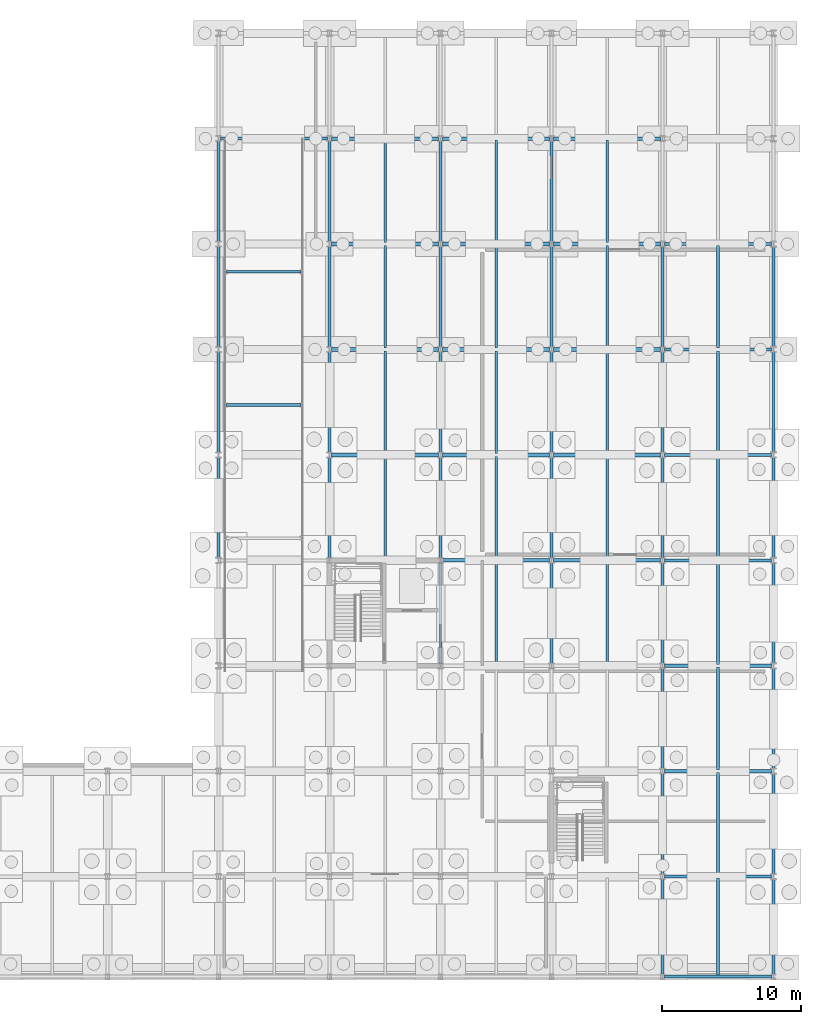
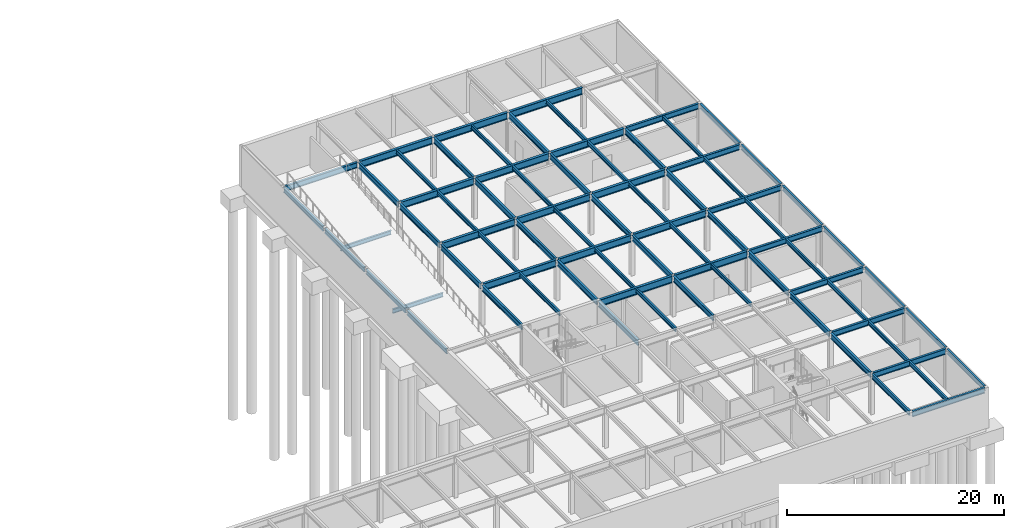
# One storey, part 13 of 21: 78 beams.
"""IFC4 building model written with IfcOpenShell, lengths in metres."""

from ifc_helpers import new_model, si_unit, direction, frame, origin, origin_2d, place, context, subcontext, project, spatial, i_section, extrude, material, material_profile, profile_set, type_object, element, save


model = new_model("IFC4")

# Units and contexts
model_context = context("Model", 3, precision=1e-05, world=origin(), true_north=direction((0.0, 1.0)))
body_context = subcontext(model_context, "Body", "Model", "MODEL_VIEW")
ifc_project = project(units=[si_unit("LENGTHUNIT", "METRE"), si_unit("AREAUNIT", "SQUARE_METRE"), si_unit("VOLUMEUNIT", "CUBIC_METRE"), si_unit("PLANEANGLEUNIT", "RADIAN"), si_unit("MASSUNIT", "GRAM", prefix="KILO")], contexts=[model_context])

# Site, building, storey
site_placement = place(None, origin())
site = spatial("IfcSite", under=ifc_project, at=site_placement, CompositionType="ELEMENT")
building_placement = place(site_placement, origin())
building = spatial("IfcBuilding", under=site, at=building_placement, Name="Zulena Civic Courthouse", CompositionType="ELEMENT")
storey_placement = place(building_placement, frame((0.0, 0.0, -4.800048828125)))
storey = spatial("IfcBuildingStorey", under=building, at=storey_placement, Name="B01", CompositionType="ELEMENT", Elevation=-4.800048828125)

# Beams
ifc_material = material(Name="Steel ASTM A992 Grade 50", Category="steel")
ifc_material_profile_1 = material_profile(ifc_material, i_section(OverallWidth=0.22998046875, OverallDepth=0.616943359375, WebThickness=0.01318359375, FlangeThickness=0.022216796875, FilletRadius=0.0126953125, at=origin_2d()), Name="W24X94")
ifc_profile_set_1 = profile_set([ifc_material_profile_1], Name="Steel ASTM A992 Grade 50")
beam_type_1 = type_object("IfcBeamType", Name="Girder_W24X94", PredefinedType="BEAM", material=ifc_profile_set_1)
beam_1_placement = place(storey_placement, frame((76.0, 76.14501953125, 4.2314453125), z_axis=(0.0, 1.0, 0.0), x_axis=(-1.0, 0.0, 0.0)))
element("IfcBeam", 1, at=beam_1_placement, inside=storey, type_object=beam_type_1, Name="beam:Y:V5:B01:76.0:76.0_83.6", PredefinedType="BEAM", context=body_context, shape_type="SweptSolid", body=[
    extrude(i_section(OverallWidth=0.22998046875, OverallDepth=0.616943359375, WebThickness=0.01318359375, FlangeThickness=0.022216796875, FilletRadius=0.0126953125, at=origin_2d()), origin(), (0.0, 0.0, 1.0), 7.31005859375),
])
beam_2_placement = place(storey_placement, frame((76.0, 83.7451171875, 4.2314453125), z_axis=(0.0, 1.0, 0.0), x_axis=(-1.0, 0.0, 0.0)))
element("IfcBeam", 2, at=beam_2_placement, inside=storey, type_object=beam_type_1, Name="beam:Y:V5:B01:76.0:83.6_91.2", PredefinedType="BEAM", context=body_context, shape_type="SweptSolid", body=[
    extrude(i_section(OverallWidth=0.22998046875, OverallDepth=0.616943359375, WebThickness=0.01318359375, FlangeThickness=0.022216796875, FilletRadius=0.0126953125, at=origin_2d()), origin(), (0.0, 0.0, 1.0), 7.309814453125),
])
beam_3_placement = place(storey_placement, frame((76.0, 91.344970703125, 4.2314453125), z_axis=(0.0, 1.0, 0.0), x_axis=(-1.0, 0.0, 0.0)))
element("IfcBeam", 3, at=beam_3_placement, inside=storey, type_object=beam_type_1, Name="beam:Y:V5:B01:76.0:91.2_98.8", PredefinedType="BEAM", context=body_context, shape_type="SweptSolid", body=[
    extrude(i_section(OverallWidth=0.22998046875, OverallDepth=0.616943359375, WebThickness=0.01318359375, FlangeThickness=0.022216796875, FilletRadius=0.0126953125, at=origin_2d()), origin(), (0.0, 0.0, 1.0), 7.31005859375),
])
beam_4_placement = place(storey_placement, frame((76.0, 98.945068359375, 4.2314453125), z_axis=(0.0, 1.0, 0.0), x_axis=(-1.0, 0.0, 0.0)))
element("IfcBeam", 4, at=beam_4_placement, inside=storey, type_object=beam_type_1, Name="beam:Y:V5:B01:76.0:98.8_106.4", PredefinedType="BEAM", context=body_context, shape_type="SweptSolid", body=[
    extrude(i_section(OverallWidth=0.22998046875, OverallDepth=0.616943359375, WebThickness=0.01318359375, FlangeThickness=0.022216796875, FilletRadius=0.0126953125, at=origin_2d()), origin(), (0.0, 0.0, 1.0), 7.309814453125),
])
for number, where, z_axis, x_axis, name in (
    (5, (84.0, 68.544921875, 4.271484375), (0.0, 1.0, 0.0), (-1.0, 0.0, 0.0), "beam:Y:V5:B01:84.0:68.4_76.0"),
    (6, (84.0, 76.14501953125, 4.271484375), (0.0, 1.0, 0.0), (-1.0, 0.0, 0.0), "beam:Y:V5:B01:84.0:76.0_83.6"),
):
    element("IfcBeam", number, at=place(storey_placement, frame(where, z_axis=z_axis, x_axis=x_axis)), inside=storey, type_object=beam_type_1, Name=name, PredefinedType="BEAM", context=body_context, shape_type="SweptSolid", body=[
        extrude(i_section(OverallWidth=0.22998046875, OverallDepth=0.616943359375, WebThickness=0.01318359375, FlangeThickness=0.022216796875, FilletRadius=0.0126953125, at=origin_2d()), origin(), (0.0, 0.0, 1.0), 7.31005859375),
    ])
beam_5_placement = place(storey_placement, frame((84.0, 83.7451171875, 4.271484375), z_axis=(0.0, 1.0, 0.0), x_axis=(-1.0, 0.0, 0.0)))
element("IfcBeam", 7, at=beam_5_placement, inside=storey, type_object=beam_type_1, Name="beam:Y:V5:B01:84.0:83.6_91.2", PredefinedType="BEAM", context=body_context, shape_type="SweptSolid", body=[
    extrude(i_section(OverallWidth=0.22998046875, OverallDepth=0.616943359375, WebThickness=0.01318359375, FlangeThickness=0.022216796875, FilletRadius=0.0126953125, at=origin_2d()), origin(), (0.0, 0.0, 1.0), 7.309814453125),
])
beam_6_placement = place(storey_placement, frame((84.0, 91.344970703125, 4.271484375), z_axis=(0.0, 1.0, 0.0), x_axis=(-1.0, 0.0, 0.0)))
element("IfcBeam", 8, at=beam_6_placement, inside=storey, type_object=beam_type_1, Name="beam:Y:V5:B01:84.0:91.2_98.8", PredefinedType="BEAM", context=body_context, shape_type="SweptSolid", body=[
    extrude(i_section(OverallWidth=0.22998046875, OverallDepth=0.616943359375, WebThickness=0.01318359375, FlangeThickness=0.022216796875, FilletRadius=0.0126953125, at=origin_2d()), origin(), (0.0, 0.0, 1.0), 7.31005859375),
])
beam_7_placement = place(storey_placement, frame((84.0, 98.945068359375, 4.271484375), z_axis=(0.0, 1.0, 0.0), x_axis=(-1.0, 0.0, 0.0)))
element("IfcBeam", 9, at=beam_7_placement, inside=storey, type_object=beam_type_1, Name="beam:Y:V5:B01:84.0:98.8_106.4", PredefinedType="BEAM", context=body_context, shape_type="SweptSolid", body=[
    extrude(i_section(OverallWidth=0.22998046875, OverallDepth=0.616943359375, WebThickness=0.01318359375, FlangeThickness=0.022216796875, FilletRadius=0.0126953125, at=origin_2d()), origin(), (0.0, 0.0, 1.0), 7.309814453125),
])
for number, where, z_axis, x_axis, name in (
    (10, (92.0, 68.544921875, 4.271484375), (0.0, 1.0, 0.0), (-1.0, 0.0, 0.0), "beam:Y:V5:B01:92.0:68.4_76.0"),
    (11, (92.0, 76.14501953125, 4.271484375), (0.0, 1.0, 0.0), (-1.0, 0.0, 0.0), "beam:Y:V5:B01:92.0:76.0_83.6"),
):
    element("IfcBeam", number, at=place(storey_placement, frame(where, z_axis=z_axis, x_axis=x_axis)), inside=storey, type_object=beam_type_1, Name=name, PredefinedType="BEAM", context=body_context, shape_type="SweptSolid", body=[
        extrude(i_section(OverallWidth=0.22998046875, OverallDepth=0.616943359375, WebThickness=0.01318359375, FlangeThickness=0.022216796875, FilletRadius=0.0126953125, at=origin_2d()), origin(), (0.0, 0.0, 1.0), 7.31005859375),
    ])
beam_8_placement = place(storey_placement, frame((92.0, 83.7451171875, 4.271484375), z_axis=(0.0, 1.0, 0.0), x_axis=(-1.0, 0.0, 0.0)))
element("IfcBeam", 12, at=beam_8_placement, inside=storey, type_object=beam_type_1, Name="beam:Y:V5:B01:92.0:83.6_91.2", PredefinedType="BEAM", context=body_context, shape_type="SweptSolid", body=[
    extrude(i_section(OverallWidth=0.22998046875, OverallDepth=0.616943359375, WebThickness=0.01318359375, FlangeThickness=0.022216796875, FilletRadius=0.0126953125, at=origin_2d()), origin(), (0.0, 0.0, 1.0), 7.309814453125),
])
beam_9_placement = place(storey_placement, frame((92.0, 91.344970703125, 4.271484375), z_axis=(0.0, 1.0, 0.0), x_axis=(-1.0, 0.0, 0.0)))
element("IfcBeam", 13, at=beam_9_placement, inside=storey, type_object=beam_type_1, Name="beam:Y:V5:B01:92.0:91.2_98.8", PredefinedType="BEAM", context=body_context, shape_type="SweptSolid", body=[
    extrude(i_section(OverallWidth=0.22998046875, OverallDepth=0.616943359375, WebThickness=0.01318359375, FlangeThickness=0.022216796875, FilletRadius=0.0126953125, at=origin_2d()), origin(), (0.0, 0.0, 1.0), 7.31005859375),
])
beam_10_placement = place(storey_placement, frame((92.0, 98.945068359375, 4.271484375), z_axis=(0.0, 1.0, 0.0), x_axis=(-1.0, 0.0, 0.0)))
element("IfcBeam", 14, at=beam_10_placement, inside=storey, type_object=beam_type_1, Name="beam:Y:V5:B01:92.0:98.8_106.4", PredefinedType="BEAM", context=body_context, shape_type="SweptSolid", body=[
    extrude(i_section(OverallWidth=0.22998046875, OverallDepth=0.616943359375, WebThickness=0.01318359375, FlangeThickness=0.022216796875, FilletRadius=0.0126953125, at=origin_2d()), origin(), (0.0, 0.0, 1.0), 7.309814453125),
])
beam_11_placement = place(storey_placement, frame((100.0, 53.344970703125, 4.271484375), z_axis=(0.0, 1.0, 0.0), x_axis=(-1.0, 0.0, 0.0)))
element("IfcBeam", 15, at=beam_11_placement, inside=storey, type_object=beam_type_1, Name="beam:Y:V5:B01:100.0:53.2_60.8", PredefinedType="BEAM", context=body_context, shape_type="SweptSolid", body=[
    extrude(i_section(OverallWidth=0.22998046875, OverallDepth=0.616943359375, WebThickness=0.01318359375, FlangeThickness=0.022216796875, FilletRadius=0.0126953125, at=origin_2d()), origin(), (0.0, 0.0, 1.0), 7.31005859375),
])
beam_12_placement = place(storey_placement, frame((100.0, 60.945068359375, 4.271484375), z_axis=(0.0, 1.0, 0.0), x_axis=(-1.0, 0.0, 0.0)))
element("IfcBeam", 16, at=beam_12_placement, inside=storey, type_object=beam_type_1, Name="beam:Y:V5:B01:100.0:60.8_68.4", PredefinedType="BEAM", context=body_context, shape_type="SweptSolid", body=[
    extrude(i_section(OverallWidth=0.22998046875, OverallDepth=0.616943359375, WebThickness=0.01318359375, FlangeThickness=0.022216796875, FilletRadius=0.0126953125, at=origin_2d()), origin(), (0.0, 0.0, 1.0), 7.309814453125),
])
for number, where, z_axis, x_axis, name in (
    (17, (100.0, 68.544921875, 4.271484375), (0.0, 1.0, 0.0), (-1.0, 0.0, 0.0), "beam:Y:V5:B01:100.0:68.4_76.0"),
    (18, (100.0, 76.14501953125, 4.271484375), (0.0, 1.0, 0.0), (-1.0, 0.0, 0.0), "beam:Y:V5:B01:100.0:76.0_83.6"),
):
    element("IfcBeam", number, at=place(storey_placement, frame(where, z_axis=z_axis, x_axis=x_axis)), inside=storey, type_object=beam_type_1, Name=name, PredefinedType="BEAM", context=body_context, shape_type="SweptSolid", body=[
        extrude(i_section(OverallWidth=0.22998046875, OverallDepth=0.616943359375, WebThickness=0.01318359375, FlangeThickness=0.022216796875, FilletRadius=0.0126953125, at=origin_2d()), origin(), (0.0, 0.0, 1.0), 7.31005859375),
    ])
beam_13_placement = place(storey_placement, frame((100.0, 83.7451171875, 4.271484375), z_axis=(0.0, 1.0, 0.0), x_axis=(-1.0, 0.0, 0.0)))
element("IfcBeam", 19, at=beam_13_placement, inside=storey, type_object=beam_type_1, Name="beam:Y:V5:B01:100.0:83.6_91.2", PredefinedType="BEAM", context=body_context, shape_type="SweptSolid", body=[
    extrude(i_section(OverallWidth=0.22998046875, OverallDepth=0.616943359375, WebThickness=0.01318359375, FlangeThickness=0.022216796875, FilletRadius=0.0126953125, at=origin_2d()), origin(), (0.0, 0.0, 1.0), 7.309814453125),
])
beam_14_placement = place(storey_placement, frame((100.0, 91.344970703125, 4.271484375), z_axis=(0.0, 1.0, 0.0), x_axis=(-1.0, 0.0, 0.0)))
element("IfcBeam", 20, at=beam_14_placement, inside=storey, type_object=beam_type_1, Name="beam:Y:V5:B01:100.0:91.2_98.8", PredefinedType="BEAM", context=body_context, shape_type="SweptSolid", body=[
    extrude(i_section(OverallWidth=0.22998046875, OverallDepth=0.616943359375, WebThickness=0.01318359375, FlangeThickness=0.022216796875, FilletRadius=0.0126953125, at=origin_2d()), origin(), (0.0, 0.0, 1.0), 7.31005859375),
])
ifc_material_profile_2 = material_profile(ifc_material, i_section(OverallWidth=0.26611328125, OverallDepth=0.779052734375, WebThickness=0.0166015625, FlangeThickness=0.030029296875, FilletRadius=0.0166015625, at=origin_2d()), Name="W30X148")
ifc_profile_set_2 = profile_set([ifc_material_profile_2], Name="Steel ASTM A992 Grade 50")
beam_type_2 = type_object("IfcBeamType", Name="Girder_W30X148", PredefinedType="BEAM", material=ifc_profile_set_2)
for number, where, z_axis, x_axis, name in (
    (21, (84.14501953125, 76.0, 4.1904296875), (1.0, 0.0, 0.0), (0.0, 1.0, 0.0), "beam:X:V5:B01:76.0:84.0_92.0"),
    (22, (92.14501953125, 76.0, 4.1904296875), (1.0, 0.0, 0.0), (0.0, 1.0, 0.0), "beam:X:V5:B01:76.0:92.0_100.0"),
    (23, (76.14501953125, 83.60009765625, 4.1904296875), (1.0, 0.0, 0.0), (0.0, 1.0, 0.0), "beam:X:V5:B01:83.6:76.0_84.0"),
    (24, (84.14501953125, 83.60009765625, 4.1904296875), (1.0, 0.0, 0.0), (0.0, 1.0, 0.0), "beam:X:V5:B01:83.6:84.0_92.0"),
    (25, (92.14501953125, 83.60009765625, 4.1904296875), (1.0, 0.0, 0.0), (0.0, 1.0, 0.0), "beam:X:V5:B01:83.6:92.0_100.0"),
    (26, (76.14501953125, 91.199951171875, 4.1904296875), (1.0, 0.0, 0.0), (0.0, 1.0, 0.0), "beam:X:V5:B01:91.2:76.0_84.0"),
    (27, (84.14501953125, 91.199951171875, 4.1904296875), (1.0, 0.0, 0.0), (0.0, 1.0, 0.0), "beam:X:V5:B01:91.2:84.0_92.0"),
    (28, (92.14501953125, 91.199951171875, 4.1904296875), (1.0, 0.0, 0.0), (0.0, 1.0, 0.0), "beam:X:V5:B01:91.2:92.0_100.0"),
    (29, (76.14501953125, 98.800048828125, 4.1904296875), (1.0, 0.0, 0.0), (0.0, 1.0, 0.0), "beam:X:V5:B01:98.8:76.0_84.0"),
    (30, (84.14501953125, 98.800048828125, 4.1904296875), (1.0, 0.0, 0.0), (0.0, 1.0, 0.0), "beam:X:V5:B01:98.8:84.0_92.0"),
    (31, (92.14501953125, 98.800048828125, 4.1904296875), (1.0, 0.0, 0.0), (0.0, 1.0, 0.0), "beam:X:V5:B01:98.8:92.0_100.0"),
    (32, (76.14501953125, 106.39990234375, 4.1904296875), (1.0, 0.0, 0.0), (0.0, 1.0, 0.0), "beam:X:V5:B01:106.4:76.0_84.0"),
    (33, (84.14501953125, 106.39990234375, 4.1904296875), (1.0, 0.0, 0.0), (0.0, 1.0, 0.0), "beam:X:V5:B01:106.4:84.0_92.0"),
    (34, (92.14501953125, 106.39990234375, 4.1904296875), (1.0, 0.0, 0.0), (0.0, 1.0, 0.0), "beam:X:V5:B01:106.4:92.0_100.0"),
):
    element("IfcBeam", number, at=place(storey_placement, frame(where, z_axis=z_axis, x_axis=x_axis)), inside=storey, type_object=beam_type_2, Name=name, PredefinedType="BEAM", context=body_context, shape_type="SweptSolid", body=[
        extrude(i_section(OverallWidth=0.26611328125, OverallDepth=0.779052734375, WebThickness=0.0166015625, FlangeThickness=0.030029296875, FilletRadius=0.0166015625, at=origin_2d()), origin(), (0.0, 0.0, 1.0), 7.7099609375),
    ])
ifc_material_profile_3 = material_profile(ifc_material, i_section(OverallWidth=0.19091796875, OverallDepth=0.4599609375, WebThickness=0.010009765625, FlangeThickness=0.01611328125, FilletRadius=0.01025390625, at=origin_2d()), Name="W18X55")
ifc_profile_set_3 = profile_set([ifc_material_profile_3], Name="Steel ASTM A992 Grade 50")
beam_type_3 = type_object("IfcBeamType", Name="Joist_W18X55", PredefinedType="JOIST", material=ifc_profile_set_3)
beam_15_placement = place(storey_placement, frame((80.0, 76.10498046875, 4.35009765625), z_axis=(0.0, 1.0, 0.0), x_axis=(-1.0, 0.0, 0.0)))
element("IfcBeam", 35, at=beam_15_placement, inside=storey, type_object=beam_type_3, Name="joist:V5:B01:80.00:76.0_83.6", PredefinedType="JOIST", context=body_context, shape_type="SweptSolid", body=[
    extrude(i_section(OverallWidth=0.19091796875, OverallDepth=0.4599609375, WebThickness=0.010009765625, FlangeThickness=0.01611328125, FilletRadius=0.01025390625, at=origin_2d()), origin(), (0.0, 0.0, 1.0), 7.39013671875),
])
beam_16_placement = place(storey_placement, frame((80.0, 83.705078125, 4.35009765625), z_axis=(0.0, 1.0, 0.0), x_axis=(-1.0, 0.0, 0.0)))
element("IfcBeam", 36, at=beam_16_placement, inside=storey, type_object=beam_type_3, Name="joist:V5:B01:80.00:83.6_91.2", PredefinedType="JOIST", context=body_context, shape_type="SweptSolid", body=[
    extrude(i_section(OverallWidth=0.19091796875, OverallDepth=0.4599609375, WebThickness=0.010009765625, FlangeThickness=0.01611328125, FilletRadius=0.01025390625, at=origin_2d()), origin(), (0.0, 0.0, 1.0), 7.389892578125),
])
beam_17_placement = place(storey_placement, frame((80.0, 91.304931640625, 4.35009765625), z_axis=(0.0, 1.0, 0.0), x_axis=(-1.0, 0.0, 0.0)))
element("IfcBeam", 37, at=beam_17_placement, inside=storey, type_object=beam_type_3, Name="joist:V5:B01:80.00:91.2_98.8", PredefinedType="JOIST", context=body_context, shape_type="SweptSolid", body=[
    extrude(i_section(OverallWidth=0.19091796875, OverallDepth=0.4599609375, WebThickness=0.010009765625, FlangeThickness=0.01611328125, FilletRadius=0.01025390625, at=origin_2d()), origin(), (0.0, 0.0, 1.0), 7.39013671875),
])
beam_18_placement = place(storey_placement, frame((80.0, 98.905029296875, 4.35009765625), z_axis=(0.0, 1.0, 0.0), x_axis=(-1.0, 0.0, 0.0)))
element("IfcBeam", 38, at=beam_18_placement, inside=storey, type_object=beam_type_3, Name="joist:V5:B01:80.00:98.8_106.4", PredefinedType="JOIST", context=body_context, shape_type="SweptSolid", body=[
    extrude(i_section(OverallWidth=0.19091796875, OverallDepth=0.4599609375, WebThickness=0.010009765625, FlangeThickness=0.01611328125, FilletRadius=0.01025390625, at=origin_2d()), origin(), (0.0, 0.0, 1.0), 7.389892578125),
])
for number, where, z_axis, x_axis, name in (
    (39, (88.0, 68.5048828125, 4.35009765625), (0.0, 1.0, 0.0), (-1.0, 0.0, 0.0), "joist:V5:B01:88.00:68.4_76.0"),
    (40, (88.0, 76.10498046875, 4.35009765625), (0.0, 1.0, 0.0), (-1.0, 0.0, 0.0), "joist:V5:B01:88.00:76.0_83.6"),
):
    element("IfcBeam", number, at=place(storey_placement, frame(where, z_axis=z_axis, x_axis=x_axis)), inside=storey, type_object=beam_type_3, Name=name, PredefinedType="JOIST", context=body_context, shape_type="SweptSolid", body=[
        extrude(i_section(OverallWidth=0.19091796875, OverallDepth=0.4599609375, WebThickness=0.010009765625, FlangeThickness=0.01611328125, FilletRadius=0.01025390625, at=origin_2d()), origin(), (0.0, 0.0, 1.0), 7.39013671875),
    ])
beam_19_placement = place(storey_placement, frame((88.0, 83.705078125, 4.35009765625), z_axis=(0.0, 1.0, 0.0), x_axis=(-1.0, 0.0, 0.0)))
element("IfcBeam", 41, at=beam_19_placement, inside=storey, type_object=beam_type_3, Name="joist:V5:B01:88.00:83.6_91.2", PredefinedType="JOIST", context=body_context, shape_type="SweptSolid", body=[
    extrude(i_section(OverallWidth=0.19091796875, OverallDepth=0.4599609375, WebThickness=0.010009765625, FlangeThickness=0.01611328125, FilletRadius=0.01025390625, at=origin_2d()), origin(), (0.0, 0.0, 1.0), 7.389892578125),
])
beam_20_placement = place(storey_placement, frame((88.0, 91.304931640625, 4.35009765625), z_axis=(0.0, 1.0, 0.0), x_axis=(-1.0, 0.0, 0.0)))
element("IfcBeam", 42, at=beam_20_placement, inside=storey, type_object=beam_type_3, Name="joist:V5:B01:88.00:91.2_98.8", PredefinedType="JOIST", context=body_context, shape_type="SweptSolid", body=[
    extrude(i_section(OverallWidth=0.19091796875, OverallDepth=0.4599609375, WebThickness=0.010009765625, FlangeThickness=0.01611328125, FilletRadius=0.01025390625, at=origin_2d()), origin(), (0.0, 0.0, 1.0), 7.39013671875),
])
beam_21_placement = place(storey_placement, frame((88.0, 98.905029296875, 4.35009765625), z_axis=(0.0, 1.0, 0.0), x_axis=(-1.0, 0.0, 0.0)))
element("IfcBeam", 43, at=beam_21_placement, inside=storey, type_object=beam_type_3, Name="joist:V5:B01:88.00:98.8_106.4", PredefinedType="JOIST", context=body_context, shape_type="SweptSolid", body=[
    extrude(i_section(OverallWidth=0.19091796875, OverallDepth=0.4599609375, WebThickness=0.010009765625, FlangeThickness=0.01611328125, FilletRadius=0.01025390625, at=origin_2d()), origin(), (0.0, 0.0, 1.0), 7.389892578125),
])
for number, where, z_axis, x_axis, name in (
    (44, (96.0, 68.5048828125, 4.35009765625), (0.0, 1.0, 0.0), (-1.0, 0.0, 0.0), "joist:V5:B01:96.00:68.4_76.0"),
    (45, (96.0, 76.10498046875, 4.35009765625), (0.0, 1.0, 0.0), (-1.0, 0.0, 0.0), "joist:V5:B01:96.00:76.0_83.6"),
):
    element("IfcBeam", number, at=place(storey_placement, frame(where, z_axis=z_axis, x_axis=x_axis)), inside=storey, type_object=beam_type_3, Name=name, PredefinedType="JOIST", context=body_context, shape_type="SweptSolid", body=[
        extrude(i_section(OverallWidth=0.19091796875, OverallDepth=0.4599609375, WebThickness=0.010009765625, FlangeThickness=0.01611328125, FilletRadius=0.01025390625, at=origin_2d()), origin(), (0.0, 0.0, 1.0), 7.39013671875),
    ])
beam_22_placement = place(storey_placement, frame((96.0, 83.705078125, 4.35009765625), z_axis=(0.0, 1.0, 0.0), x_axis=(-1.0, 0.0, 0.0)))
element("IfcBeam", 46, at=beam_22_placement, inside=storey, type_object=beam_type_3, Name="joist:V5:B01:96.00:83.6_91.2", PredefinedType="JOIST", context=body_context, shape_type="SweptSolid", body=[
    extrude(i_section(OverallWidth=0.19091796875, OverallDepth=0.4599609375, WebThickness=0.010009765625, FlangeThickness=0.01611328125, FilletRadius=0.01025390625, at=origin_2d()), origin(), (0.0, 0.0, 1.0), 7.389892578125),
])
beam_23_placement = place(storey_placement, frame((96.0, 91.304931640625, 4.35009765625), z_axis=(0.0, 1.0, 0.0), x_axis=(-1.0, 0.0, 0.0)))
element("IfcBeam", 47, at=beam_23_placement, inside=storey, type_object=beam_type_3, Name="joist:V5:B01:96.00:91.2_98.8", PredefinedType="JOIST", context=body_context, shape_type="SweptSolid", body=[
    extrude(i_section(OverallWidth=0.19091796875, OverallDepth=0.4599609375, WebThickness=0.010009765625, FlangeThickness=0.01611328125, FilletRadius=0.01025390625, at=origin_2d()), origin(), (0.0, 0.0, 1.0), 7.39013671875),
])
beam_24_placement = place(storey_placement, frame((96.0, 98.905029296875, 4.35009765625), z_axis=(0.0, 1.0, 0.0), x_axis=(-1.0, 0.0, 0.0)))
element("IfcBeam", 48, at=beam_24_placement, inside=storey, type_object=beam_type_3, Name="joist:V5:B01:96.00:98.8_106.4", PredefinedType="JOIST", context=body_context, shape_type="SweptSolid", body=[
    extrude(i_section(OverallWidth=0.19091796875, OverallDepth=0.4599609375, WebThickness=0.010009765625, FlangeThickness=0.01611328125, FilletRadius=0.01025390625, at=origin_2d()), origin(), (0.0, 0.0, 1.0), 7.389892578125),
])
beam_25_placement = place(storey_placement, frame((104.0, 46.10498046875, 4.35009765625), z_axis=(0.0, 1.0, 0.0), x_axis=(-1.0, 0.0, 0.0)))
element("IfcBeam", 49, at=beam_25_placement, inside=storey, type_object=beam_type_3, Name="joist:V5:B01:104.00:46.0_53.2", PredefinedType="JOIST", context=body_context, shape_type="SweptSolid", body=[
    extrude(i_section(OverallWidth=0.19091796875, OverallDepth=0.4599609375, WebThickness=0.010009765625, FlangeThickness=0.01611328125, FilletRadius=0.01025390625, at=origin_2d()), origin(), (0.0, 0.0, 1.0), 6.989990234375),
])
beam_26_placement = place(storey_placement, frame((104.0, 53.304931640625, 4.35009765625), z_axis=(0.0, 1.0, 0.0), x_axis=(-1.0, 0.0, 0.0)))
element("IfcBeam", 50, at=beam_26_placement, inside=storey, type_object=beam_type_3, Name="joist:V5:B01:104.00:53.2_60.8", PredefinedType="JOIST", context=body_context, shape_type="SweptSolid", body=[
    extrude(i_section(OverallWidth=0.19091796875, OverallDepth=0.4599609375, WebThickness=0.010009765625, FlangeThickness=0.01611328125, FilletRadius=0.01025390625, at=origin_2d()), origin(), (0.0, 0.0, 1.0), 7.39013671875),
])
beam_27_placement = place(storey_placement, frame((104.0, 60.905029296875, 4.35009765625), z_axis=(0.0, 1.0, 0.0), x_axis=(-1.0, 0.0, 0.0)))
element("IfcBeam", 51, at=beam_27_placement, inside=storey, type_object=beam_type_3, Name="joist:V5:B01:104.00:60.8_68.4", PredefinedType="JOIST", context=body_context, shape_type="SweptSolid", body=[
    extrude(i_section(OverallWidth=0.19091796875, OverallDepth=0.4599609375, WebThickness=0.010009765625, FlangeThickness=0.01611328125, FilletRadius=0.01025390625, at=origin_2d()), origin(), (0.0, 0.0, 1.0), 7.389892578125),
])
for number, where, z_axis, x_axis, name in (
    (52, (104.0, 68.5048828125, 4.35009765625), (0.0, 1.0, 0.0), (-1.0, 0.0, 0.0), "joist:V5:B01:104.00:68.4_76.0"),
    (53, (104.0, 76.10498046875, 4.35009765625), (0.0, 1.0, 0.0), (-1.0, 0.0, 0.0), "joist:V5:B01:104.00:76.0_83.6"),
):
    element("IfcBeam", number, at=place(storey_placement, frame(where, z_axis=z_axis, x_axis=x_axis)), inside=storey, type_object=beam_type_3, Name=name, PredefinedType="JOIST", context=body_context, shape_type="SweptSolid", body=[
        extrude(i_section(OverallWidth=0.19091796875, OverallDepth=0.4599609375, WebThickness=0.010009765625, FlangeThickness=0.01611328125, FilletRadius=0.01025390625, at=origin_2d()), origin(), (0.0, 0.0, 1.0), 7.39013671875),
    ])
beam_28_placement = place(storey_placement, frame((104.0, 83.705078125, 4.35009765625), z_axis=(0.0, 1.0, 0.0), x_axis=(-1.0, 0.0, 0.0)))
element("IfcBeam", 54, at=beam_28_placement, inside=storey, type_object=beam_type_3, Name="joist:V5:B01:104.00:83.6_91.2", PredefinedType="JOIST", context=body_context, shape_type="SweptSolid", body=[
    extrude(i_section(OverallWidth=0.19091796875, OverallDepth=0.4599609375, WebThickness=0.010009765625, FlangeThickness=0.01611328125, FilletRadius=0.01025390625, at=origin_2d()), origin(), (0.0, 0.0, 1.0), 7.389892578125),
])
beam_29_placement = place(storey_placement, frame((104.0, 91.304931640625, 4.35009765625), z_axis=(0.0, 1.0, 0.0), x_axis=(-1.0, 0.0, 0.0)))
element("IfcBeam", 55, at=beam_29_placement, inside=storey, type_object=beam_type_3, Name="joist:V5:B01:104.00:91.2_98.8", PredefinedType="JOIST", context=body_context, shape_type="SweptSolid", body=[
    extrude(i_section(OverallWidth=0.19091796875, OverallDepth=0.4599609375, WebThickness=0.010009765625, FlangeThickness=0.01611328125, FilletRadius=0.01025390625, at=origin_2d()), origin(), (0.0, 0.0, 1.0), 7.39013671875),
])
ifc_material_profile_4 = material_profile(ifc_material, i_section(OverallWidth=0.19091796875, OverallDepth=0.4599609375, WebThickness=0.010009765625, FlangeThickness=0.01611328125, FilletRadius=0.01025390625, at=origin_2d()), Name="W18X55")
ifc_profile_set_4 = profile_set([ifc_material_profile_4], Name="Steel ASTM A992 Grade 50")
beam_type_4 = type_object("IfcBeamType", Name="Spandrel_W18X55", PredefinedType="SPANDREL", material=ifc_profile_set_4)
for number, where, z_axis, x_axis, name in (
    (56, (68.550048828125, 87.199951171875, 1.9150390625), (1.0, 0.0, 0.0), (0.0, 1.0, 0.0), "beam:vramp:B01:1"),
    (57, (68.550048828125, 96.800048828125, 3.114990234375), (1.0, 0.0, 0.0), (0.0, 1.0, 0.0), "beam:vramp:B01:2"),
):
    element("IfcBeam", number, at=place(storey_placement, frame(where, z_axis=z_axis, x_axis=x_axis)), inside=storey, type_object=beam_type_4, Name=name, PredefinedType="SPANDREL", context=body_context, shape_type="SweptSolid", body=[
        extrude(i_section(OverallWidth=0.19091796875, OverallDepth=0.4599609375, WebThickness=0.010009765625, FlangeThickness=0.01611328125, FilletRadius=0.01025390625, at=origin_2d()), origin(), (0.0, 0.0, 1.0), 5.39990234375),
    ])
ifc_material_profile_5 = material_profile(ifc_material, i_section(OverallWidth=0.2099609375, OverallDepth=0.537109375, WebThickness=0.010986328125, FlangeThickness=0.017333984375, FilletRadius=0.0126953125, at=origin_2d()), Name="W21X68")
ifc_profile_set_5 = profile_set([ifc_material_profile_5], Name="Steel ASTM A992 Grade 50")
beam_type_5 = type_object("IfcBeamType", Name="Spandrel_W21X68", PredefinedType="SPANDREL", material=ifc_profile_set_5)
beam_30_placement = place(storey_placement, frame((68.0, 76.14501953125, 4.271484375), z_axis=(0.0, 1.0, 0.0), x_axis=(-1.0, 0.0, 0.0)))
element("IfcBeam", 58, at=beam_30_placement, inside=storey, type_object=beam_type_5, Name="beam:Y:V5:B01:68.0:76.0_83.6", PredefinedType="SPANDREL", context=body_context, shape_type="SweptSolid", body=[
    extrude(i_section(OverallWidth=0.2099609375, OverallDepth=0.537109375, WebThickness=0.010986328125, FlangeThickness=0.017333984375, FilletRadius=0.0126953125, at=origin_2d()), origin(), (0.0, 0.0, 1.0), 7.31005859375),
])
beam_31_placement = place(storey_placement, frame((68.0, 83.7451171875, 4.271484375), z_axis=(0.0, 1.0, 0.0), x_axis=(-1.0, 0.0, 0.0)))
element("IfcBeam", 59, at=beam_31_placement, inside=storey, type_object=beam_type_5, Name="beam:Y:V5:B01:68.0:83.6_91.2", PredefinedType="SPANDREL", context=body_context, shape_type="SweptSolid", body=[
    extrude(i_section(OverallWidth=0.2099609375, OverallDepth=0.537109375, WebThickness=0.010986328125, FlangeThickness=0.017333984375, FilletRadius=0.0126953125, at=origin_2d()), origin(), (0.0, 0.0, 1.0), 7.309814453125),
])
beam_32_placement = place(storey_placement, frame((68.0, 91.344970703125, 4.271484375), z_axis=(0.0, 1.0, 0.0), x_axis=(-1.0, 0.0, 0.0)))
element("IfcBeam", 60, at=beam_32_placement, inside=storey, type_object=beam_type_5, Name="beam:Y:V5:B01:68.0:91.2_98.8", PredefinedType="SPANDREL", context=body_context, shape_type="SweptSolid", body=[
    extrude(i_section(OverallWidth=0.2099609375, OverallDepth=0.537109375, WebThickness=0.010986328125, FlangeThickness=0.017333984375, FilletRadius=0.0126953125, at=origin_2d()), origin(), (0.0, 0.0, 1.0), 7.31005859375),
])
beam_33_placement = place(storey_placement, frame((68.0, 98.945068359375, 4.271484375), z_axis=(0.0, 1.0, 0.0), x_axis=(-1.0, 0.0, 0.0)))
element("IfcBeam", 61, at=beam_33_placement, inside=storey, type_object=beam_type_5, Name="beam:Y:V5:B01:68.0:98.8_106.4", PredefinedType="SPANDREL", context=body_context, shape_type="SweptSolid", body=[
    extrude(i_section(OverallWidth=0.2099609375, OverallDepth=0.537109375, WebThickness=0.010986328125, FlangeThickness=0.017333984375, FilletRadius=0.0126953125, at=origin_2d()), origin(), (0.0, 0.0, 1.0), 7.309814453125),
])
for number, where, z_axis, x_axis, name in (
    (62, (100.0, 46.14501953125, 4.3115234375), (0.0, 1.0, 0.0), (-1.0, 0.0, 0.0), "beam:Y:V5:B01:100.0:46.0_53.2"),
    (63, (108.0, 46.14501953125, 4.3115234375), (0.0, 1.0, 0.0), (-1.0, 0.0, 0.0), "beam:Y:V5:B01:108.0:46.0_53.2"),
):
    element("IfcBeam", number, at=place(storey_placement, frame(where, z_axis=z_axis, x_axis=x_axis)), inside=storey, type_object=beam_type_5, Name=name, PredefinedType="SPANDREL", context=body_context, shape_type="SweptSolid", body=[
        extrude(i_section(OverallWidth=0.2099609375, OverallDepth=0.537109375, WebThickness=0.010986328125, FlangeThickness=0.017333984375, FilletRadius=0.0126953125, at=origin_2d()), origin(), (0.0, 0.0, 1.0), 6.909912109375),
    ])
beam_34_placement = place(storey_placement, frame((108.0, 53.344970703125, 4.3115234375), z_axis=(0.0, 1.0, 0.0), x_axis=(-1.0, 0.0, 0.0)))
element("IfcBeam", 64, at=beam_34_placement, inside=storey, type_object=beam_type_5, Name="beam:Y:V5:B01:108.0:53.2_60.8", PredefinedType="SPANDREL", context=body_context, shape_type="SweptSolid", body=[
    extrude(i_section(OverallWidth=0.2099609375, OverallDepth=0.537109375, WebThickness=0.010986328125, FlangeThickness=0.017333984375, FilletRadius=0.0126953125, at=origin_2d()), origin(), (0.0, 0.0, 1.0), 7.31005859375),
])
beam_35_placement = place(storey_placement, frame((108.0, 60.945068359375, 4.3115234375), z_axis=(0.0, 1.0, 0.0), x_axis=(-1.0, 0.0, 0.0)))
element("IfcBeam", 65, at=beam_35_placement, inside=storey, type_object=beam_type_5, Name="beam:Y:V5:B01:108.0:60.8_68.4", PredefinedType="SPANDREL", context=body_context, shape_type="SweptSolid", body=[
    extrude(i_section(OverallWidth=0.2099609375, OverallDepth=0.537109375, WebThickness=0.010986328125, FlangeThickness=0.017333984375, FilletRadius=0.0126953125, at=origin_2d()), origin(), (0.0, 0.0, 1.0), 7.309814453125),
])
for number, where, z_axis, x_axis, name in (
    (66, (108.0, 68.544921875, 4.3115234375), (0.0, 1.0, 0.0), (-1.0, 0.0, 0.0), "beam:Y:V5:B01:108.0:68.4_76.0"),
    (67, (108.0, 76.14501953125, 4.3115234375), (0.0, 1.0, 0.0), (-1.0, 0.0, 0.0), "beam:Y:V5:B01:108.0:76.0_83.6"),
):
    element("IfcBeam", number, at=place(storey_placement, frame(where, z_axis=z_axis, x_axis=x_axis)), inside=storey, type_object=beam_type_5, Name=name, PredefinedType="SPANDREL", context=body_context, shape_type="SweptSolid", body=[
        extrude(i_section(OverallWidth=0.2099609375, OverallDepth=0.537109375, WebThickness=0.010986328125, FlangeThickness=0.017333984375, FilletRadius=0.0126953125, at=origin_2d()), origin(), (0.0, 0.0, 1.0), 7.31005859375),
    ])
beam_36_placement = place(storey_placement, frame((108.0, 83.7451171875, 4.3115234375), z_axis=(0.0, 1.0, 0.0), x_axis=(-1.0, 0.0, 0.0)))
element("IfcBeam", 68, at=beam_36_placement, inside=storey, type_object=beam_type_5, Name="beam:Y:V5:B01:108.0:83.6_91.2", PredefinedType="SPANDREL", context=body_context, shape_type="SweptSolid", body=[
    extrude(i_section(OverallWidth=0.2099609375, OverallDepth=0.537109375, WebThickness=0.010986328125, FlangeThickness=0.017333984375, FilletRadius=0.0126953125, at=origin_2d()), origin(), (0.0, 0.0, 1.0), 7.309814453125),
])
beam_37_placement = place(storey_placement, frame((108.0, 91.344970703125, 4.3115234375), z_axis=(0.0, 1.0, 0.0), x_axis=(-1.0, 0.0, 0.0)))
element("IfcBeam", 69, at=beam_37_placement, inside=storey, type_object=beam_type_5, Name="beam:Y:V5:B01:108.0:91.2_98.8", PredefinedType="SPANDREL", context=body_context, shape_type="SweptSolid", body=[
    extrude(i_section(OverallWidth=0.2099609375, OverallDepth=0.537109375, WebThickness=0.010986328125, FlangeThickness=0.017333984375, FilletRadius=0.0126953125, at=origin_2d()), origin(), (0.0, 0.0, 1.0), 7.31005859375),
])
ifc_material_profile_6 = material_profile(ifc_material, i_section(OverallWidth=0.22998046875, OverallDepth=0.616943359375, WebThickness=0.01318359375, FlangeThickness=0.022216796875, FilletRadius=0.0126953125, at=origin_2d()), Name="W24X94")
ifc_profile_set_6 = profile_set([ifc_material_profile_6], Name="Steel ASTM A992 Grade 50")
beam_type_6 = type_object("IfcBeamType", Name="Spandrel_W24X94", PredefinedType="SPANDREL", material=ifc_profile_set_6)
for number, where, z_axis, x_axis, name in (
    (70, (100.14501953125, 46.0, 4.271484375), (1.0, 0.0, 0.0), (0.0, 1.0, 0.0), "beam:X:V5:B01:46.0:100.0_108.0"),
    (71, (100.14501953125, 53.199951171875, 4.271484375), (1.0, 0.0, 0.0), (0.0, 1.0, 0.0), "beam:X:V5:B01:53.2:100.0_108.0"),
    (72, (100.14501953125, 60.800048828125, 4.271484375), (1.0, 0.0, 0.0), (0.0, 1.0, 0.0), "beam:X:V5:B01:60.8:100.0_108.0"),
    (73, (100.14501953125, 68.39990234375, 4.271484375), (1.0, 0.0, 0.0), (0.0, 1.0, 0.0), "beam:X:V5:B01:68.4:100.0_108.0"),
    (74, (100.14501953125, 76.0, 4.271484375), (1.0, 0.0, 0.0), (0.0, 1.0, 0.0), "beam:X:V5:B01:76.0:100.0_108.0"),
    (75, (100.14501953125, 83.60009765625, 4.271484375), (1.0, 0.0, 0.0), (0.0, 1.0, 0.0), "beam:X:V5:B01:83.6:100.0_108.0"),
    (76, (100.14501953125, 91.199951171875, 4.271484375), (1.0, 0.0, 0.0), (0.0, 1.0, 0.0), "beam:X:V5:B01:91.2:100.0_108.0"),
    (77, (100.14501953125, 98.800048828125, 4.271484375), (1.0, 0.0, 0.0), (0.0, 1.0, 0.0), "beam:X:V5:B01:98.8:100.0_108.0"),
    (78, (68.14501953125, 106.39990234375, 4.2314453125), (1.0, 0.0, 0.0), (0.0, 1.0, 0.0), "beam:X:V5:B01:106.4:68.0_76.0"),
):
    element("IfcBeam", number, at=place(storey_placement, frame(where, z_axis=z_axis, x_axis=x_axis)), inside=storey, type_object=beam_type_6, Name=name, PredefinedType="SPANDREL", context=body_context, shape_type="SweptSolid", body=[
        extrude(i_section(OverallWidth=0.22998046875, OverallDepth=0.616943359375, WebThickness=0.01318359375, FlangeThickness=0.022216796875, FilletRadius=0.0126953125, at=origin_2d()), origin(), (0.0, 0.0, 1.0), 7.7099609375),
    ])

save(model, "model.ifc")
